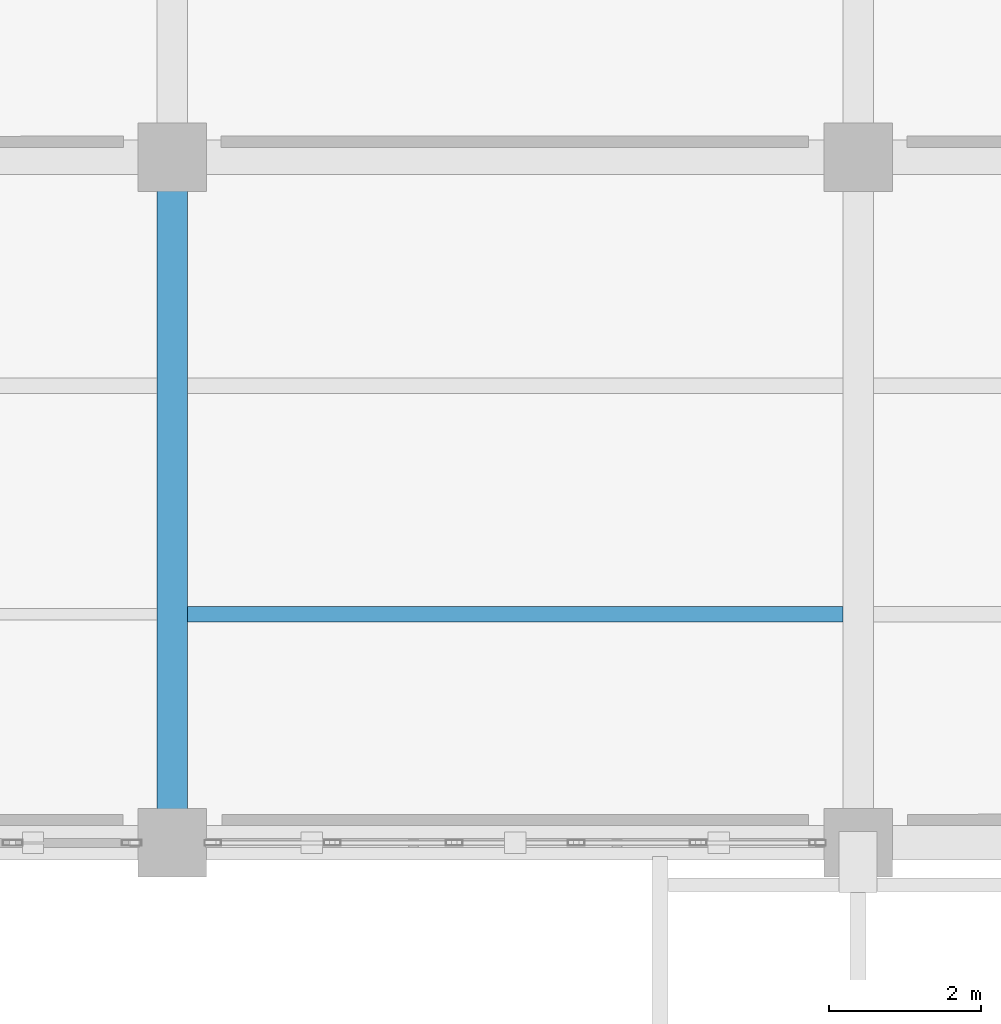
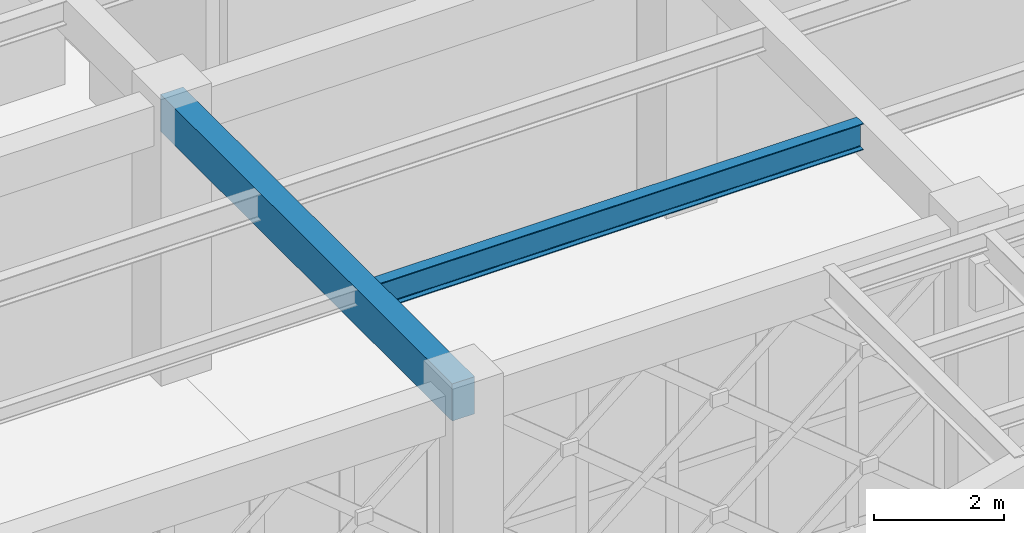
# One storey, part 76 of 166: 2 beams.
"""IFC4 building model written with IfcOpenShell, lengths in metres."""

import ifcopenshell
import ifcopenshell.guid

model = None  # the IFC model being written
_history = None  # IfcOwnerHistory: only IFC2X3 demands one
_inside = {}  # id of a spatial element -> (the spatial element, [elements in it])
_under = {}  # id of a project, library or spatial element -> (it, [spatial elements below it])
_declared = {}  # id of a project -> (the project, [libraries it declares])
_typed = {}  # id of a type object -> (the type object, [elements of that type])
_made_of = {}  # id of a material, layer set ... -> (it, [elements and type objects made of it])


def new_model(schema):
    """Start an empty IFC model of exactly this schema.

    Asked for "IFC4X3", IfcOpenShell would pick the latest addendum, in which some entities
    have other attributes; the version numbers below select the first issue.
    IFC2X3 requires an IfcOwnerHistory on every rooted entity: one is made here for all.
    """
    global model, _history
    if schema == "IFC4X3":
        model = ifcopenshell.file(schema_version=(4, 3, 0, 0))
    else:
        model = ifcopenshell.file(schema=schema)
    _inside.clear()
    _under.clear()
    _declared.clear()
    _typed.clear()
    _made_of.clear()
    _history = None
    if model.schema == "IFC2X3":
        org = make("IfcOrganization", Name="unknown")
        user = make(
            "IfcPersonAndOrganization",
            ThePerson=make("IfcPerson", FamilyName="unknown"),
            TheOrganization=org,
        )
        app = make(
            "IfcApplication",
            ApplicationDeveloper=org,
            Version="unknown",
            ApplicationFullName="unknown",
            ApplicationIdentifier="unknown",
        )
        _history = make(
            "IfcOwnerHistory",
            OwningUser=user,
            OwningApplication=app,
            ChangeAction="ADDED",
            CreationDate=0,
        )
    return model


def make(cls, **values):
    """One entity of the class cls with the attributes given. An attribute that is None is left unset."""
    return model.create_entity(
        cls, **{name: value for name, value in values.items() if value is not None}
    )


def rooted(cls, **values):
    """An entity with a GlobalId (a new one), such as an element, a storey or a relation."""
    return make(cls, GlobalId=ifcopenshell.guid.new(), OwnerHistory=_history, **values)


def si_unit(unit_type, name, prefix=None):
    """IfcSIUnit, for example si_unit("LENGTHUNIT", "METRE", prefix="MILLI")."""
    return make("IfcSIUnit", UnitType=unit_type, Prefix=prefix, Name=name)


def assignment(units):
    """IfcUnitAssignment: the units of a project."""
    return None if units is None else make("IfcUnitAssignment", Units=units)


def point(xyz):
    """IfcCartesianPoint."""
    return None if xyz is None else make("IfcCartesianPoint", Coordinates=xyz)


def direction(xyz):
    """IfcDirection."""
    return None if xyz is None else make("IfcDirection", DirectionRatios=xyz)


def frame(location, z_axis=None, x_axis=None):
    """IfcAxis2Placement3D, a coordinate frame: its origin and axes. An axis left out is left unset."""
    return make(
        "IfcAxis2Placement3D",
        Location=point(location),
        Axis=direction(z_axis),
        RefDirection=direction(x_axis),
    )


def frame_2d(location, x_axis=None):
    """IfcAxis2Placement2D, a coordinate frame in the plane: its origin and x axis."""
    return make(
        "IfcAxis2Placement2D", Location=point(location), RefDirection=direction(x_axis)
    )


def origin():
    """The frame at (0, 0, 0) with its axes left unset."""
    return frame((0.0, 0.0, 0.0))


def origin_2d():
    """The frame at (0, 0) in the plane with its x axis left unset."""
    return frame_2d((0.0, 0.0))


def place(relative_to, where):
    """IfcLocalPlacement: puts the frame where relative to a parent placement (None: the world)."""
    return make(
        "IfcLocalPlacement", PlacementRelTo=relative_to, RelativePlacement=where
    )


def context(
    kind, dimensions, precision=None, world=None, true_north=None, identifier=None
):
    """IfcGeometricRepresentationContext, for example the 3D "Model" context."""
    return make(
        "IfcGeometricRepresentationContext",
        ContextIdentifier=identifier,
        ContextType=kind,
        CoordinateSpaceDimension=dimensions,
        Precision=precision,
        WorldCoordinateSystem=world,
        TrueNorth=true_north,
    )


def subcontext(parent, identifier, kind, view, scale=None):
    """IfcGeometricRepresentationSubContext, for example "Body" below "Model"."""
    return make(
        "IfcGeometricRepresentationSubContext",
        ContextIdentifier=identifier,
        ContextType=kind,
        ParentContext=parent,
        TargetScale=scale,
        TargetView=view,
    )


def project(units=None, contexts=None):
    """IfcProject with its units and contexts."""
    return rooted(
        "IfcProject",
        Name="project",
        RepresentationContexts=contexts,
        UnitsInContext=assignment(units),
    )


def spatial(cls, under=None, at=None, **own):
    """A site, building, storey or space (cls), placed at a placement, below another one or the project."""
    s = rooted(cls, ObjectPlacement=at, **own)
    if under is not None:
        _under.setdefault(under.id(), (under, []))[1].append(s)
    return s


def profile(cls, at=None, kind="AREA", **sizes):
    """A parametric profile (cls). Its sizes go by their IFC names, for example OverallWidth=200.0."""
    return make(cls, ProfileType=kind, Position=at, **sizes)


def rectangle(**sizes):
    """IfcRectangleProfileDef."""
    return profile("IfcRectangleProfileDef", **sizes)


def i_section(**sizes):
    """IfcIShapeProfileDef."""
    return profile("IfcIShapeProfileDef", **sizes)


def extrude(swept, where, along, depth):
    """IfcExtrudedAreaSolid: the profile swept, set in the frame where, extruded along a direction by depth."""
    return make(
        "IfcExtrudedAreaSolid",
        SweptArea=swept,
        Position=where,
        ExtrudedDirection=direction(along),
        Depth=depth,
    )


def shape(context_of_items, identifier, shape_type, items):
    """IfcShapeRepresentation: the items that make up one representation, for example the "Body"."""
    return make(
        "IfcShapeRepresentation",
        ContextOfItems=context_of_items,
        RepresentationIdentifier=identifier,
        RepresentationType=shape_type,
        Items=items,
    )


def material(Name=None, Category=None):
    """IfcMaterial."""
    return make("IfcMaterial", Name=Name, Category=Category)


def material_profile(
    of_material, cross_section, Name=None, Category=None, Priority=None
):
    """IfcMaterialProfile: a cross section and its material."""
    return make(
        "IfcMaterialProfile",
        Name=Name,
        Material=of_material,
        Profile=cross_section,
        Priority=Priority,
        Category=Category,
    )


def profile_set(profiles, Name=None, composite=None):
    """IfcMaterialProfileSet."""
    return make(
        "IfcMaterialProfileSet",
        Name=Name,
        MaterialProfiles=profiles,
        CompositeProfile=composite,
    )


def made_of(thing, what):
    """Note that an element or type object is made of a material, layer set ...; save() writes the relation."""
    if what is not None:
        _made_of.setdefault(what.id(), (what, []))[1].append(thing)
    return thing


def type_object(cls, material=None, **own):
    """A type object (cls), such as IfcWallType, which elements share."""
    return made_of(rooted(cls, **own), material)


def element(
    cls,
    number,
    at=None,
    inside=None,
    cuts=None,
    type_object=None,
    material=None,
    context=None,
    identifier="Body",
    shape_type=None,
    held_by="IfcProductDefinitionShape",
    body=None,
    shapes=None,
    **own,
):
    """One element of the class cls, such as IfcWall. Its Tag is "e" and its number.

    at: its placement. inside: the storey or other place that contains it. cuts: it is an
    opening in that element (IfcRelVoidsElement). A single representation is given by context,
    identifier, shape_type and body (its items); several are given by shapes. held_by: the class
    of the entity that holds the representations. save() writes the other relations.
    """
    e = rooted(cls, Tag="e%d" % number, ObjectPlacement=at, **own)
    if body is not None:
        shapes = [shape(context, identifier, shape_type, body)]
    if shapes is not None:
        e.Representation = make(held_by, Representations=shapes)
    if inside is not None:
        _inside.setdefault(inside.id(), (inside, []))[1].append(e)
    if cuts is not None:
        rooted(
            "IfcRelVoidsElement", RelatingBuildingElement=cuts, RelatedOpeningElement=e
        )
    if type_object is not None:
        _typed.setdefault(type_object.id(), (type_object, []))[1].append(e)
    return made_of(e, material)


def aggregate(whole, parts):
    """IfcRelAggregates: a whole, such as a stair, and the parts it consists of."""
    return rooted("IfcRelAggregates", RelatingObject=whole, RelatedObjects=parts)


def save(model, path):
    """Write the relations noted so far, then the file.

    IfcRelAggregates (storeys below a building ...), IfcRelContainedInSpatialStructure (elements
    in a storey), IfcRelDefinesByType, IfcRelAssociatesMaterial and IfcRelDeclares: one each for
    every whole, place, type object, material and project.
    """
    for whole, parts in _under.values():
        aggregate(whole, parts)
    for where, things in _inside.values():
        rooted(
            "IfcRelContainedInSpatialStructure",
            RelatedElements=things,
            RelatingStructure=where,
        )
    for kind, things in _typed.values():
        rooted("IfcRelDefinesByType", RelatedObjects=things, RelatingType=kind)
    for what, things in _made_of.values():
        rooted("IfcRelAssociatesMaterial", RelatedObjects=things, RelatingMaterial=what)
    for by, libraries in _declared.values():
        rooted("IfcRelDeclares", RelatingContext=by, RelatedDefinitions=libraries)
    model.write(path)


model = new_model("IFC4")

# Units and contexts
model_context = context("Model", 3, precision=1e-05, world=origin(), true_north=direction((0.0, 1.0)))
body_context = subcontext(model_context, "Body", "Model", "MODEL_VIEW")
ifc_project = project(units=[si_unit("LENGTHUNIT", "METRE"), si_unit("AREAUNIT", "SQUARE_METRE"), si_unit("VOLUMEUNIT", "CUBIC_METRE"), si_unit("PLANEANGLEUNIT", "RADIAN"), si_unit("MASSUNIT", "GRAM", prefix="KILO")], contexts=[model_context])

# Site, building, storey
site_placement = place(None, origin())
site = spatial("IfcSite", under=ifc_project, at=site_placement, CompositionType="ELEMENT")
building_placement = place(site_placement, origin())
building = spatial("IfcBuilding", under=site, at=building_placement, Name="Haizhuo Lancet Aquarium", CompositionType="ELEMENT")
storey_placement = place(building_placement, frame((0.0, 0.0, 5.39990234375)))
storey = spatial("IfcBuildingStorey", under=building, at=storey_placement, Name="L01", CompositionType="ELEMENT", Elevation=5.39990234375)

# Beams
ifc_material_1 = material(Name="Concrete C40/50", Category="concrete")
ifc_material_profile_1 = material_profile(ifc_material_1, rectangle(XDim=0.39990234375, YDim=0.699951171875, at=origin_2d()), Name="RC-BM 400x700")
ifc_profile_set_1 = profile_set([ifc_material_profile_1], Name="Concrete C40/50")
beam_type_1 = type_object("IfcBeamType", Name="BM-RC-400x700", PredefinedType="BEAM", material=ifc_profile_set_1)
beam_1_placement = place(storey_placement, frame((-9.0, 27.0, 4.7900390625), z_axis=(0.0, 1.0, 0.0), x_axis=(-1.0, 0.0, 0.0)))
element("IfcBeam", 1, at=beam_1_placement, inside=storey, type_object=beam_type_1, Name="L01 V5 primary girder BM-L01-V5-010", PredefinedType="BEAM", context=body_context, shape_type="SweptSolid", body=[
    extrude(rectangle(XDim=0.39990234375, YDim=0.699951171875, at=origin_2d()), origin(), (0.0, 0.0, 1.0), 9.0),
])
ifc_material_2 = material(Name="Steel S355", Category="steel")
ifc_material_profile_2 = material_profile(ifc_material_2, i_section(OverallWidth=0.199951171875, OverallDepth=0.5, WebThickness=0.010009765625, FlangeThickness=0.01611328125, FilletRadius=0.02001953125, at=origin_2d()), Name="HN 500x200x10x16")
ifc_profile_set_2 = profile_set([ifc_material_profile_2], Name="Steel S355")
beam_type_2 = type_object("IfcBeamType", Name="JST-ST-HN500", PredefinedType="JOIST", material=ifc_profile_set_2)
beam_2_placement = place(storey_placement, frame((-8.800048828125, 30.0, 4.89013671875), z_axis=(1.0, 0.0, 0.0), x_axis=(0.0, 1.0, 0.0)))
element("IfcBeam", 2, at=beam_2_placement, inside=storey, type_object=beam_type_2, Name="L01 V5 secondary floor joist 8", PredefinedType="JOIST", context=body_context, shape_type="SweptSolid", body=[
    extrude(i_section(OverallWidth=0.199951171875, OverallDepth=0.5, WebThickness=0.010009765625, FlangeThickness=0.01611328125, FilletRadius=0.02001953125, at=origin_2d()), origin(), (0.0, 0.0, 1.0), 8.60009765625),
])

save(model, "model.ifc")
